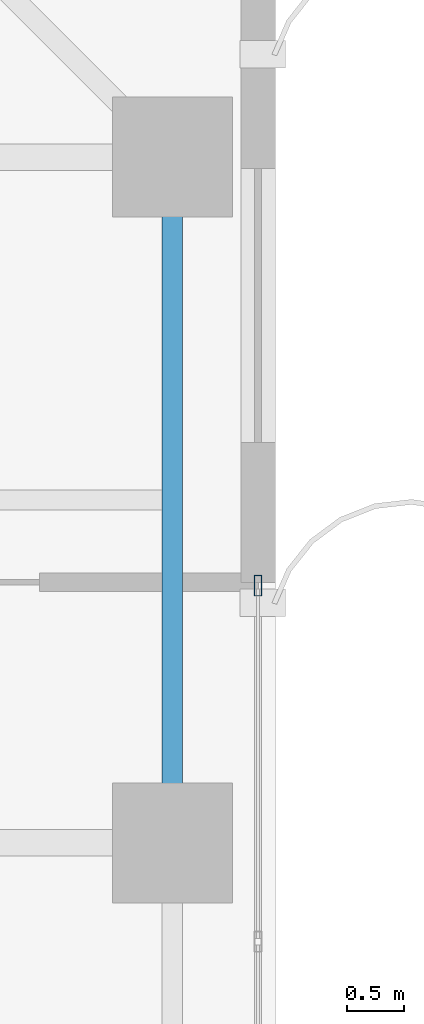
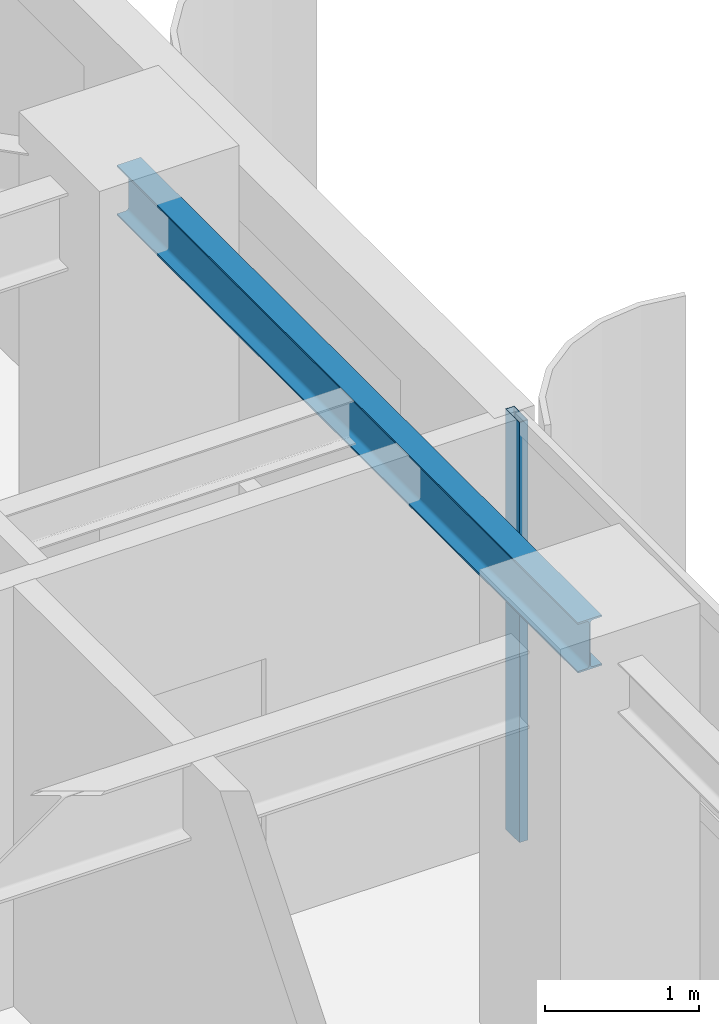
# One storey, part 18 of 27: 1 beam, 1 member, 1 element without a shape of its own.
"""IFC4 building model written with IfcOpenShell, lengths in metres."""

from ifc_helpers import new_model, si_unit, direction, frame, origin, origin_2d, place, context, subcontext, project, spatial, hollow_rectangle, i_section, extrude, source, transform, mapped, material, layer, layer_set, material_profile, profile_set, type_object, element, aggregate, save


model = new_model("IFC4")

# Units and contexts
model_context = context("Model", 3, precision=1e-05, world=origin(), true_north=direction((0.0, 1.0)))
body_context = subcontext(model_context, "Body", "Model", "MODEL_VIEW")
ifc_project = project(units=[si_unit("LENGTHUNIT", "METRE"), si_unit("AREAUNIT", "SQUARE_METRE"), si_unit("VOLUMEUNIT", "CUBIC_METRE"), si_unit("PLANEANGLEUNIT", "RADIAN"), si_unit("MASSUNIT", "GRAM", prefix="KILO")], contexts=[model_context])

# Site, building, storey
site_placement = place(None, origin())
site = spatial("IfcSite", under=ifc_project, at=site_placement, CompositionType="ELEMENT")
building_placement = place(site_placement, origin())
building = spatial("IfcBuilding", under=site, at=building_placement, Name="Khoralis Quay Care Tower", CompositionType="ELEMENT")
storey_placement = place(building_placement, frame((0.0, 0.0, 105.300048828125)))
storey = spatial("IfcBuildingStorey", under=building, at=storey_placement, Name="L27", CompositionType="ELEMENT", Elevation=105.300048828125)

# Beam
ifc_material_1 = material(Name="Steel S355", Category="steel")
ifc_material_profile_1 = material_profile(ifc_material_1, i_section(OverallWidth=0.179931640625, OverallDepth=0.39990234375, WebThickness=0.008544921875, FlangeThickness=0.013427734375, FilletRadius=0.02099609375, at=origin_2d()), Name="Steel S355")
ifc_profile_set_1 = profile_set([ifc_material_profile_1], Name="Steel S355")
beam_type = type_object("IfcBeamType", Name="BM-IPE400", PredefinedType="SPANDREL", material=ifc_profile_set_1)
shared_shape_1 = source(origin(), body_context, "Body", "SweptSolid", [
    extrude(i_section(OverallWidth=0.179931640625, OverallDepth=0.39990234375, WebThickness=0.008544921875, FlangeThickness=0.013427734375, FilletRadius=0.02099609375, at=origin_2d()), origin(), (0.0, 0.0, 1.0), 6.0),
])
beam_placement = place(storey_placement, frame((44.10009765625, 30.0, 3.139892578125), z_axis=(0.0, 1.0, 0.0), x_axis=(-1.0, 0.0, 0.0)))
element("IfcBeam", 1, at=beam_placement, inside=storey, type_object=beam_type, Name="BM-TSP-L27-20", PredefinedType="SPANDREL", context=body_context, shape_type="MappedRepresentation", body=[
    mapped(shared_shape_1, transform((0.0, 0.0, 0.0), scale=1.0)),
])

# Curtain wall, member
ifc_material_2 = material(Name="Pale anodised aluminium", Category="aluminium")
ifc_layer = layer(ifc_material_2, 0.169921875)
ifc_layer_set = layer_set([ifc_layer], Name="Pale anodised aluminium")
curtain_wall_type = type_object("IfcCurtainWallType", Name="CW-SYS-Z2", PredefinedType="NOTDEFINED", material=ifc_layer_set)
curtain_wall_placement = place(storey_placement, origin())
curtain_wall = element("IfcCurtainWall", 2, at=curtain_wall_placement, inside=storey, type_object=curtain_wall_type, Name="L27 Unitised Curtain Wall CW-L27-P1-E5", PredefinedType="NOTDEFINED")
ifc_material_profile_2 = material_profile(ifc_material_2, hollow_rectangle(XDim=0.06494140625, YDim=0.179931640625, WallThickness=0.00390625, at=origin_2d()), Name="Pale anodised aluminium")
ifc_profile_set_2 = profile_set([ifc_material_profile_2], Name="Pale anodised aluminium")
member_type = type_object("IfcMemberType", Name="CW-MUL-180", PredefinedType="MULLION", material=ifc_profile_set_2)
shared_shape_2 = source(origin(), body_context, "Body", "SweptSolid", [
    extrude(hollow_rectangle(XDim=0.06494140625, YDim=0.179931640625, WallThickness=0.00390625, at=origin_2d()), origin(), (0.0, 0.0, 1.0), 3.33984375),
])
member_placement = place(storey_placement, frame((44.85009765625, 32.25, 0.0), z_axis=(0.0, 0.0, 1.0), x_axis=(-1.0, 0.0, 0.0)))
member = element("IfcMember", 3, at=member_placement, type_object=member_type, Name="CW2 mullion 5", PredefinedType="MULLION", context=body_context, shape_type="MappedRepresentation", body=[
    mapped(shared_shape_2, transform((0.0, 0.0, 0.0), scale=1.0)),
])
aggregate(curtain_wall, [member])

save(model, "model.ifc")
